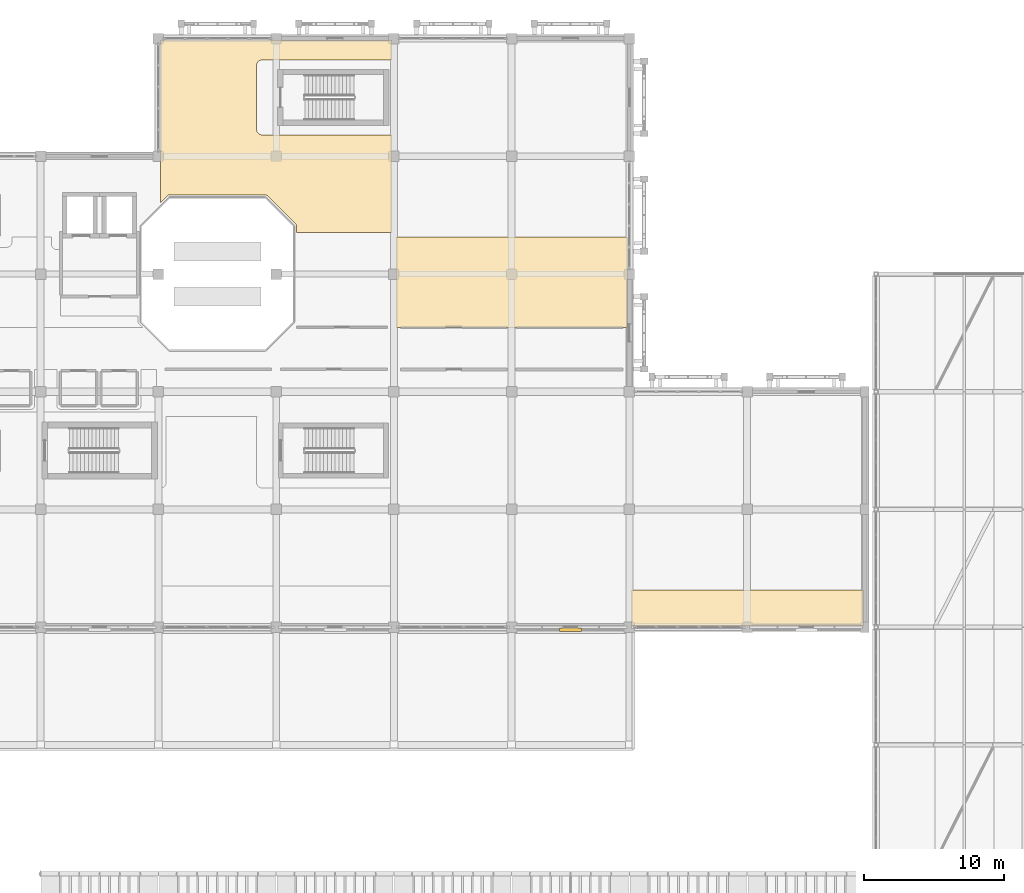
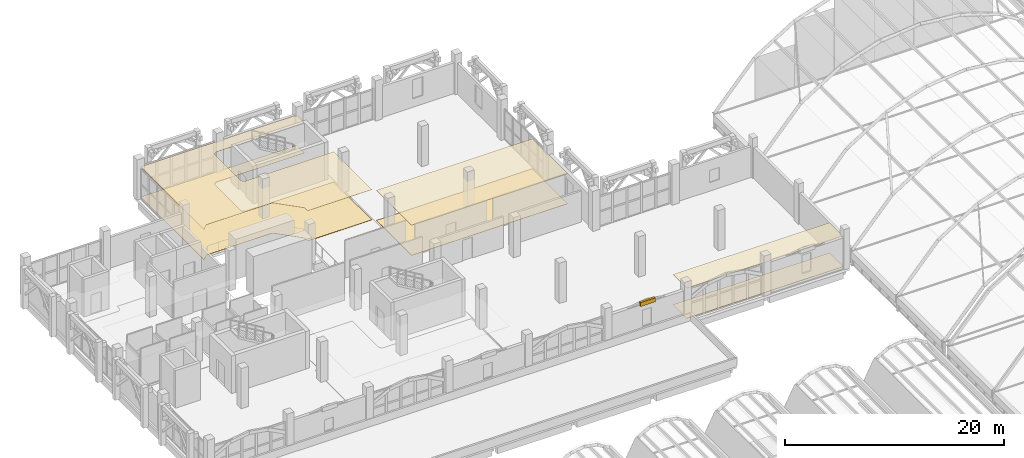
# One storey, part 111 of 114: 6 coverings, 1 shading device.
"""IFC4 building model written with IfcOpenShell, lengths in metres."""

from ifc_helpers import new_model, si_unit, direction, frame, origin, origin_2d, place, context, subcontext, project, spatial, polyline, rectangle, outline, extrude, material, layer, layer_set, type_object, element, save


model = new_model("IFC4")

# Units and contexts
model_context = context("Model", 3, precision=1e-05, world=origin(), true_north=direction((0.0, 1.0)))
body_context = subcontext(model_context, "Body", "Model", "MODEL_VIEW")
ifc_project = project(units=[si_unit("LENGTHUNIT", "METRE"), si_unit("AREAUNIT", "SQUARE_METRE"), si_unit("VOLUMEUNIT", "CUBIC_METRE"), si_unit("PLANEANGLEUNIT", "RADIAN"), si_unit("MASSUNIT", "GRAM", prefix="KILO")], contexts=[model_context])

# Site, building, storey
site_placement = place(None, origin())
site = spatial("IfcSite", under=ifc_project, at=site_placement, CompositionType="ELEMENT")
building_placement = place(site_placement, origin())
building = spatial("IfcBuilding", under=site, at=building_placement, Name="Xazarin Passage Department Store", CompositionType="ELEMENT")
storey_placement = place(building_placement, frame((0.0, 0.0, 14.39990234375)))
storey = spatial("IfcBuildingStorey", under=building, at=storey_placement, Name="L03", CompositionType="ELEMENT", Elevation=14.39990234375)

# Coverings
ifc_material_1 = material(Name="Acoustic mineral ceiling")
ifc_layer_1 = layer(ifc_material_1, 0.030029296875)
ifc_layer_set_1 = layer_set([ifc_layer_1], Name="Acoustic mineral ceiling")
covering_type_1 = type_object("IfcCoveringType", Name="ARC-COV-CLG030", PredefinedType="CEILING", material=ifc_layer_set_1)
covering_1_placement = place(storey_placement, frame((0.0, 0.0, 3.3701171875)))
element("IfcCovering", 1, at=covering_1_placement, inside=storey, type_object=covering_type_1, Name="L03 Youth Apparel Hall Acoustic Ceiling", PredefinedType="CEILING", context=body_context, shape_type="SweptSolid", body=[
    extrude(outline(polyline([(33.449951171875, 103.1298828125), (24.199951171875, 103.1298828125), (24.160888671875, 103.1318359375), (24.1220703125, 103.1376953125), (24.083984375, 103.147216796875), (24.046875, 103.160400390625), (24.011474609375, 103.17724609375), (23.977783203125, 103.197509765625), (23.9462890625, 103.220703125), (23.917236328125, 103.247314453125), (23.890869140625, 103.276123046875), (23.867431640625, 103.307861328125), (23.84716796875, 103.34130859375), (23.830322265625, 103.376953125), (23.817138671875, 103.413818359375), (23.8076171875, 103.451904296875), (23.802001953125, 103.49072265625), (23.800048828125, 103.530029296875), (23.800048828125, 108.070068359375), (23.802001953125, 108.109130859375), (23.8076171875, 108.14794921875), (23.817138671875, 108.18603515625), (23.830322265625, 108.22314453125), (23.84716796875, 108.258544921875), (23.867431640625, 108.292236328125), (23.890869140625, 108.32373046875), (23.917236328125, 108.352783203125), (23.9462890625, 108.379150390625), (23.977783203125, 108.402587890625), (24.011474609375, 108.4228515625), (24.046875, 108.439697265625), (24.083984375, 108.452880859375), (24.1220703125, 108.46240234375), (24.160888671875, 108.468017578125), (24.199951171875, 108.469970703125), (33.449951171875, 108.469970703125), (33.449951171875, 109.89990234375), (16.949951171875, 109.89990234375), (16.949951171875, 98.3037109375), (17.423095703125, 98.77685546875), (17.44140625, 98.793212890625), (17.461181640625, 98.807861328125), (17.482177734375, 98.820556640625), (17.50439453125, 98.8310546875), (17.52734375, 98.839111328125), (17.55126953125, 98.84521484375), (17.575439453125, 98.848876953125), (17.60009765625, 98.85009765625), (24.39990234375, 98.85009765625), (24.424560546875, 98.848876953125), (24.44873046875, 98.84521484375), (24.47265625, 98.839111328125), (24.49560546875, 98.8310546875), (24.517822265625, 98.820556640625), (24.538818359375, 98.807861328125), (24.55859375, 98.793212890625), (24.576904296875, 98.77685546875), (26.576904296875, 96.77685546875), (26.59326171875, 96.758544921875), (26.60791015625, 96.739013671875), (26.62060546875, 96.7177734375), (26.631103515625, 96.69580078125), (26.63916015625, 96.672607421875), (26.645263671875, 96.648681640625), (26.648681640625, 96.62451171875), (26.64990234375, 96.60009765625), (26.64990234375, 96.14990234375), (33.449951171875, 96.14990234375), (33.449951171875, 103.1298828125)])), origin(), (0.0, 0.0, 1.0), 0.030029296875),
])
covering_2_placement = place(storey_placement, frame((0.0, 0.0, 3.3701171875)))
element("IfcCovering", 2, at=covering_2_placement, inside=storey, type_object=covering_type_1, Name="L03 Youth Apparel Hall Acoustic Ceiling", PredefinedType="CEILING", context=body_context, shape_type="SweptSolid", body=[
    extrude(outline(polyline([(50.550048828125, 68.10009765625), (67.10009765625, 68.10009765625), (67.10009765625, 70.64990234375), (50.550048828125, 70.64990234375), (50.550048828125, 68.10009765625)])), origin(), (0.0, 0.0, 1.0), 0.030029296875),
])
ifc_layer_2 = layer(ifc_material_1, 0.0400390625)
ifc_layer_set_2 = layer_set([ifc_layer_2], Name="Acoustic mineral ceiling")
covering_type_2 = type_object("IfcCoveringType", Name="ARC-COV-CLG040", PredefinedType="CEILING", material=ifc_layer_set_2)
covering_3_placement = place(storey_placement, frame((0.0, 0.0, 3.360107421875)))
element("IfcCovering", 3, at=covering_3_placement, inside=storey, type_object=covering_type_2, Name="L03 Children Department Acoustic Ceiling", PredefinedType="CEILING", context=body_context, shape_type="SweptSolid", body=[
    extrude(outline(polyline([(33.75, 89.39990234375), (50.25, 89.39990234375), (50.25, 95.85009765625), (33.75, 95.85009765625), (33.75, 89.39990234375)])), origin(), (0.0, 0.0, 1.0), 0.0400390625),
])
ifc_material_2 = material(Name="Terrazzo stone flooring", Category="masonry")
ifc_layer_3 = layer(ifc_material_2, 0.02490234375)
ifc_layer_set_3 = layer_set([ifc_layer_3], Name="Terrazzo stone flooring")
covering_type_3 = type_object("IfcCoveringType", Name="ARC-COV-FLR025", PredefinedType="FLOORING", material=ifc_layer_set_3)
covering_4_placement = place(storey_placement, origin())
element("IfcCovering", 4, at=covering_4_placement, inside=storey, type_object=covering_type_3, Name="L03 Youth Apparel Hall Terrazzo Flooring", PredefinedType="FLOORING", context=body_context, shape_type="SweptSolid", body=[
    extrude(outline(polyline([(33.449951171875, 103.1298828125), (24.199951171875, 103.1298828125), (24.160888671875, 103.1318359375), (24.1220703125, 103.1376953125), (24.083984375, 103.147216796875), (24.046875, 103.160400390625), (24.011474609375, 103.17724609375), (23.977783203125, 103.197509765625), (23.9462890625, 103.220703125), (23.917236328125, 103.247314453125), (23.890869140625, 103.276123046875), (23.867431640625, 103.307861328125), (23.84716796875, 103.34130859375), (23.830322265625, 103.376953125), (23.817138671875, 103.413818359375), (23.8076171875, 103.451904296875), (23.802001953125, 103.49072265625), (23.800048828125, 103.530029296875), (23.800048828125, 108.070068359375), (23.802001953125, 108.109130859375), (23.8076171875, 108.14794921875), (23.817138671875, 108.18603515625), (23.830322265625, 108.22314453125), (23.84716796875, 108.258544921875), (23.867431640625, 108.292236328125), (23.890869140625, 108.32373046875), (23.917236328125, 108.352783203125), (23.9462890625, 108.379150390625), (23.977783203125, 108.402587890625), (24.011474609375, 108.4228515625), (24.046875, 108.439697265625), (24.083984375, 108.452880859375), (24.1220703125, 108.46240234375), (24.160888671875, 108.468017578125), (24.199951171875, 108.469970703125), (33.449951171875, 108.469970703125), (33.449951171875, 109.89990234375), (16.949951171875, 109.89990234375), (16.949951171875, 98.3037109375), (17.423095703125, 98.77685546875), (17.44140625, 98.793212890625), (17.461181640625, 98.807861328125), (17.482177734375, 98.820556640625), (17.50439453125, 98.8310546875), (17.52734375, 98.839111328125), (17.55126953125, 98.84521484375), (17.575439453125, 98.848876953125), (17.60009765625, 98.85009765625), (24.39990234375, 98.85009765625), (24.424560546875, 98.848876953125), (24.44873046875, 98.84521484375), (24.47265625, 98.839111328125), (24.49560546875, 98.8310546875), (24.517822265625, 98.820556640625), (24.538818359375, 98.807861328125), (24.55859375, 98.793212890625), (24.576904296875, 98.77685546875), (26.576904296875, 96.77685546875), (26.59326171875, 96.758544921875), (26.60791015625, 96.739013671875), (26.62060546875, 96.7177734375), (26.631103515625, 96.69580078125), (26.63916015625, 96.672607421875), (26.645263671875, 96.648681640625), (26.648681640625, 96.62451171875), (26.64990234375, 96.60009765625), (26.64990234375, 96.14990234375), (33.449951171875, 96.14990234375), (33.449951171875, 103.1298828125)])), origin(), (0.0, 0.0, 1.0), 0.025146484375),
])
covering_5_placement = place(storey_placement, origin())
element("IfcCovering", 5, at=covering_5_placement, inside=storey, type_object=covering_type_3, Name="L03 Youth Apparel Hall Terrazzo Flooring", PredefinedType="FLOORING", context=body_context, shape_type="SweptSolid", body=[
    extrude(outline(polyline([(50.550048828125, 68.10009765625), (67.10009765625, 68.10009765625), (67.10009765625, 70.64990234375), (50.550048828125, 70.64990234375), (50.550048828125, 68.10009765625)])), origin(), (0.0, 0.0, 1.0), 0.025146484375),
])
ifc_layer_4 = layer(ifc_material_2, 0.034912109375)
ifc_layer_set_4 = layer_set([ifc_layer_4], Name="Terrazzo stone flooring")
covering_type_4 = type_object("IfcCoveringType", Name="ARC-COV-FLR035", PredefinedType="FLOORING", material=ifc_layer_set_4)
covering_6_placement = place(storey_placement, origin())
element("IfcCovering", 6, at=covering_6_placement, inside=storey, type_object=covering_type_4, Name="L03 Children Department Terrazzo Flooring", PredefinedType="FLOORING", context=body_context, shape_type="SweptSolid", body=[
    extrude(outline(polyline([(33.75, 89.39990234375), (50.25, 89.39990234375), (50.25, 95.85009765625), (33.75, 95.85009765625), (33.75, 89.39990234375)])), origin(), (0.0, 0.0, 1.0), 0.03515625),
])

# Shading device
ifc_material_3 = material(Name="Bronze anodised aluminium", Category="aluminium")
ifc_layer_5 = layer(ifc_material_3, 0.080078125)
ifc_layer_set_5 = layer_set([ifc_layer_5], Name="Bronze anodised aluminium")
shading_device_type = type_object("IfcShadingDeviceType", Name="ARC-SHD-LVR", PredefinedType="JALOUSIE", material=ifc_layer_set_5)
shading_device_placement = place(storey_placement, frame((46.199951171875, 67.81005859375, 3.375), z_axis=(0.0, 0.0, 1.0), x_axis=(1.0, 0.0, 0.0)))
element("IfcShadingDevice", 7, at=shading_device_placement, inside=storey, type_object=shading_device_type, Name="L03 V1 Sun Shading Louvre 03", PredefinedType="JALOUSIE", context=body_context, shape_type="SweptSolid", body=[
    extrude(rectangle(XDim=1.60009765625, YDim=0.239990234375, at=origin_2d()), origin(), (0.0, 0.0, 1.0), 0.449951171875),
])

save(model, "model.ifc")
